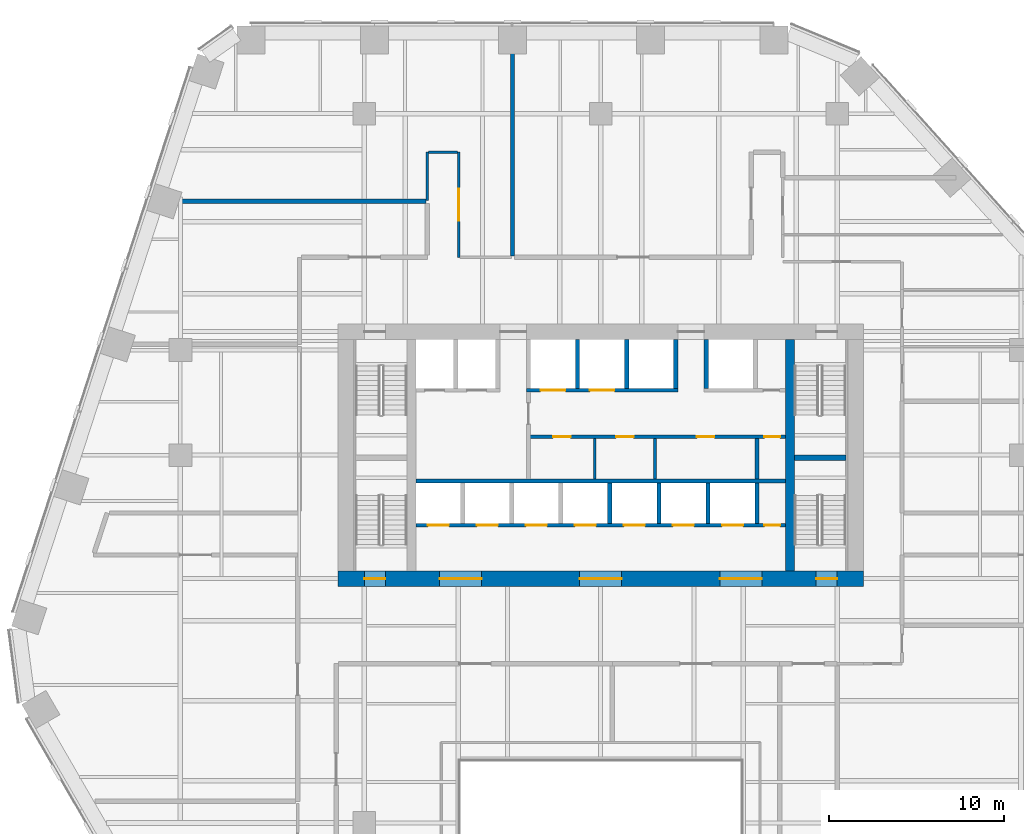
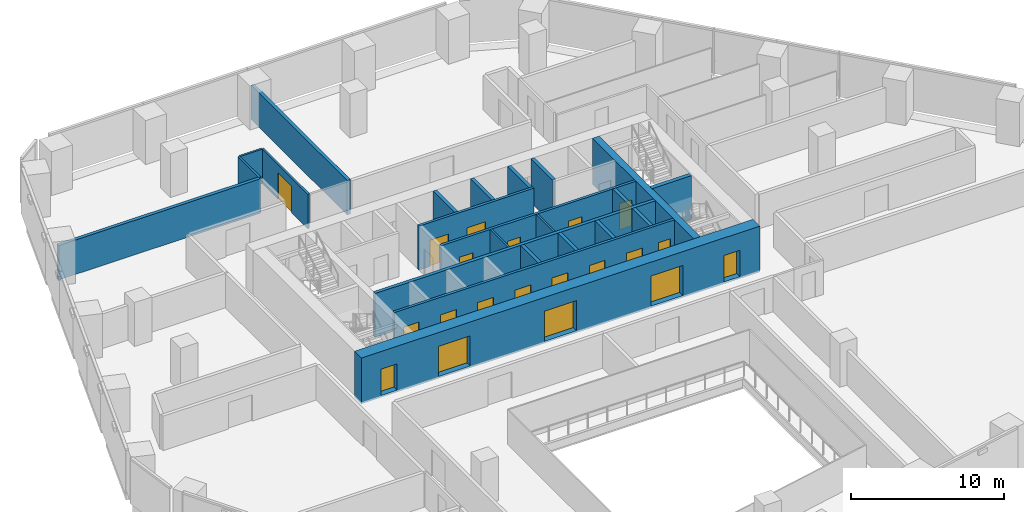
# One storey, part 15 of 21: 23 walls, 20 doors, 20 openings.
"""IFC4 building model written with IfcOpenShell, lengths in metres."""

import ifcopenshell
import ifcopenshell.guid

model = None  # the IFC model being written
_history = None  # IfcOwnerHistory: only IFC2X3 demands one
_inside = {}  # id of a spatial element -> (the spatial element, [elements in it])
_under = {}  # id of a project, library or spatial element -> (it, [spatial elements below it])
_declared = {}  # id of a project -> (the project, [libraries it declares])
_typed = {}  # id of a type object -> (the type object, [elements of that type])
_made_of = {}  # id of a material, layer set ... -> (it, [elements and type objects made of it])


def new_model(schema):
    """Start an empty IFC model of exactly this schema.

    Asked for "IFC4X3", IfcOpenShell would pick the latest addendum, in which some entities
    have other attributes; the version numbers below select the first issue.
    IFC2X3 requires an IfcOwnerHistory on every rooted entity: one is made here for all.
    """
    global model, _history
    if schema == "IFC4X3":
        model = ifcopenshell.file(schema_version=(4, 3, 0, 0))
    else:
        model = ifcopenshell.file(schema=schema)
    _inside.clear()
    _under.clear()
    _declared.clear()
    _typed.clear()
    _made_of.clear()
    _history = None
    if model.schema == "IFC2X3":
        org = make("IfcOrganization", Name="unknown")
        user = make(
            "IfcPersonAndOrganization",
            ThePerson=make("IfcPerson", FamilyName="unknown"),
            TheOrganization=org,
        )
        app = make(
            "IfcApplication",
            ApplicationDeveloper=org,
            Version="unknown",
            ApplicationFullName="unknown",
            ApplicationIdentifier="unknown",
        )
        _history = make(
            "IfcOwnerHistory",
            OwningUser=user,
            OwningApplication=app,
            ChangeAction="ADDED",
            CreationDate=0,
        )
    return model


def make(cls, **values):
    """One entity of the class cls with the attributes given. An attribute that is None is left unset."""
    return model.create_entity(
        cls, **{name: value for name, value in values.items() if value is not None}
    )


def rooted(cls, **values):
    """An entity with a GlobalId (a new one), such as an element, a storey or a relation."""
    return make(cls, GlobalId=ifcopenshell.guid.new(), OwnerHistory=_history, **values)


def si_unit(unit_type, name, prefix=None):
    """IfcSIUnit, for example si_unit("LENGTHUNIT", "METRE", prefix="MILLI")."""
    return make("IfcSIUnit", UnitType=unit_type, Prefix=prefix, Name=name)


def assignment(units):
    """IfcUnitAssignment: the units of a project."""
    return None if units is None else make("IfcUnitAssignment", Units=units)


def point(xyz):
    """IfcCartesianPoint."""
    return None if xyz is None else make("IfcCartesianPoint", Coordinates=xyz)


def direction(xyz):
    """IfcDirection."""
    return None if xyz is None else make("IfcDirection", DirectionRatios=xyz)


def frame(location, z_axis=None, x_axis=None):
    """IfcAxis2Placement3D, a coordinate frame: its origin and axes. An axis left out is left unset."""
    return make(
        "IfcAxis2Placement3D",
        Location=point(location),
        Axis=direction(z_axis),
        RefDirection=direction(x_axis),
    )


def frame_2d(location, x_axis=None):
    """IfcAxis2Placement2D, a coordinate frame in the plane: its origin and x axis."""
    return make(
        "IfcAxis2Placement2D", Location=point(location), RefDirection=direction(x_axis)
    )


def origin():
    """The frame at (0, 0, 0) with its axes left unset."""
    return frame((0.0, 0.0, 0.0))


def place(relative_to, where):
    """IfcLocalPlacement: puts the frame where relative to a parent placement (None: the world)."""
    return make(
        "IfcLocalPlacement", PlacementRelTo=relative_to, RelativePlacement=where
    )


def context(
    kind, dimensions, precision=None, world=None, true_north=None, identifier=None
):
    """IfcGeometricRepresentationContext, for example the 3D "Model" context."""
    return make(
        "IfcGeometricRepresentationContext",
        ContextIdentifier=identifier,
        ContextType=kind,
        CoordinateSpaceDimension=dimensions,
        Precision=precision,
        WorldCoordinateSystem=world,
        TrueNorth=true_north,
    )


def subcontext(parent, identifier, kind, view, scale=None):
    """IfcGeometricRepresentationSubContext, for example "Body" below "Model"."""
    return make(
        "IfcGeometricRepresentationSubContext",
        ContextIdentifier=identifier,
        ContextType=kind,
        ParentContext=parent,
        TargetScale=scale,
        TargetView=view,
    )


def project(units=None, contexts=None):
    """IfcProject with its units and contexts."""
    return rooted(
        "IfcProject",
        Name="project",
        RepresentationContexts=contexts,
        UnitsInContext=assignment(units),
    )


def spatial(cls, under=None, at=None, **own):
    """A site, building, storey or space (cls), placed at a placement, below another one or the project."""
    s = rooted(cls, ObjectPlacement=at, **own)
    if under is not None:
        _under.setdefault(under.id(), (under, []))[1].append(s)
    return s


def profile(cls, at=None, kind="AREA", **sizes):
    """A parametric profile (cls). Its sizes go by their IFC names, for example OverallWidth=200.0."""
    return make(cls, ProfileType=kind, Position=at, **sizes)


def rectangle(**sizes):
    """IfcRectangleProfileDef."""
    return profile("IfcRectangleProfileDef", **sizes)


def extrude(swept, where, along, depth):
    """IfcExtrudedAreaSolid: the profile swept, set in the frame where, extruded along a direction by depth."""
    return make(
        "IfcExtrudedAreaSolid",
        SweptArea=swept,
        Position=where,
        ExtrudedDirection=direction(along),
        Depth=depth,
    )


def shape(context_of_items, identifier, shape_type, items):
    """IfcShapeRepresentation: the items that make up one representation, for example the "Body"."""
    return make(
        "IfcShapeRepresentation",
        ContextOfItems=context_of_items,
        RepresentationIdentifier=identifier,
        RepresentationType=shape_type,
        Items=items,
    )


def material(Name=None, Category=None):
    """IfcMaterial."""
    return make("IfcMaterial", Name=Name, Category=Category)


def layer(
    of_material, thickness, ventilated=None, Name=None, Category=None, Priority=None
):
    """IfcMaterialLayer: one layer of a wall or slab, of a material (None: an air gap)."""
    return make(
        "IfcMaterialLayer",
        Material=of_material,
        LayerThickness=thickness,
        IsVentilated=ventilated,
        Name=Name,
        Category=Category,
        Priority=Priority,
    )


def layer_set(layers, Name=None):
    """IfcMaterialLayerSet."""
    return make("IfcMaterialLayerSet", MaterialLayers=layers, LayerSetName=Name)


def made_of(thing, what):
    """Note that an element or type object is made of a material, layer set ...; save() writes the relation."""
    if what is not None:
        _made_of.setdefault(what.id(), (what, []))[1].append(thing)
    return thing


def type_object(cls, material=None, **own):
    """A type object (cls), such as IfcWallType, which elements share."""
    return made_of(rooted(cls, **own), material)


def element(
    cls,
    number,
    at=None,
    inside=None,
    cuts=None,
    type_object=None,
    material=None,
    context=None,
    identifier="Body",
    shape_type=None,
    held_by="IfcProductDefinitionShape",
    body=None,
    shapes=None,
    **own,
):
    """One element of the class cls, such as IfcWall. Its Tag is "e" and its number.

    at: its placement. inside: the storey or other place that contains it. cuts: it is an
    opening in that element (IfcRelVoidsElement). A single representation is given by context,
    identifier, shape_type and body (its items); several are given by shapes. held_by: the class
    of the entity that holds the representations. save() writes the other relations.
    """
    e = rooted(cls, Tag="e%d" % number, ObjectPlacement=at, **own)
    if body is not None:
        shapes = [shape(context, identifier, shape_type, body)]
    if shapes is not None:
        e.Representation = make(held_by, Representations=shapes)
    if inside is not None:
        _inside.setdefault(inside.id(), (inside, []))[1].append(e)
    if cuts is not None:
        rooted(
            "IfcRelVoidsElement", RelatingBuildingElement=cuts, RelatedOpeningElement=e
        )
    if type_object is not None:
        _typed.setdefault(type_object.id(), (type_object, []))[1].append(e)
    return made_of(e, material)


def fill(opening, filler):
    """IfcRelFillsElement: the door or window that sits in an opening."""
    return rooted(
        "IfcRelFillsElement",
        RelatingOpeningElement=opening,
        RelatedBuildingElement=filler,
    )


def aggregate(whole, parts):
    """IfcRelAggregates: a whole, such as a stair, and the parts it consists of."""
    return rooted("IfcRelAggregates", RelatingObject=whole, RelatedObjects=parts)


def save(model, path):
    """Write the relations noted so far, then the file.

    IfcRelAggregates (storeys below a building ...), IfcRelContainedInSpatialStructure (elements
    in a storey), IfcRelDefinesByType, IfcRelAssociatesMaterial and IfcRelDeclares: one each for
    every whole, place, type object, material and project.
    """
    for whole, parts in _under.values():
        aggregate(whole, parts)
    for where, things in _inside.values():
        rooted(
            "IfcRelContainedInSpatialStructure",
            RelatedElements=things,
            RelatingStructure=where,
        )
    for kind, things in _typed.values():
        rooted("IfcRelDefinesByType", RelatedObjects=things, RelatingType=kind)
    for what, things in _made_of.values():
        rooted("IfcRelAssociatesMaterial", RelatedObjects=things, RelatingMaterial=what)
    for by, libraries in _declared.values():
        rooted("IfcRelDeclares", RelatingContext=by, RelatedDefinitions=libraries)
    model.write(path)


model = new_model("IFC4")

# Units and contexts
model_context = context("Model", 3, precision=1e-05, world=origin(), true_north=direction((0.0, 1.0)))
body_context = subcontext(model_context, "Body", "Model", "MODEL_VIEW")
ifc_project = project(units=[si_unit("LENGTHUNIT", "METRE"), si_unit("AREAUNIT", "SQUARE_METRE"), si_unit("VOLUMEUNIT", "CUBIC_METRE"), si_unit("PLANEANGLEUNIT", "RADIAN"), si_unit("MASSUNIT", "GRAM", prefix="KILO")], contexts=[model_context])

# Site, building, storey
site_placement = place(None, origin())
site = spatial("IfcSite", under=ifc_project, at=site_placement, CompositionType="ELEMENT")
building_placement = place(site_placement, origin())
building = spatial("IfcBuilding", under=site, at=building_placement, Name="Isthmus Gate Tower", CompositionType="ELEMENT")
storey_placement = place(building_placement, frame((0.0, 0.0, 109.85009765625)))
storey = spatial("IfcBuildingStorey", under=building, at=storey_placement, Name="L26", CompositionType="ELEMENT", Elevation=109.85009765625)

# Walls
ifc_material_1 = material(Name="Double-leaf acoustic stud wall, fire-rated", Category="gypsum")
ifc_layer_1 = layer(ifc_material_1, 0.25)
ifc_layer_set_1 = layer_set([ifc_layer_1], Name="ACOUSTIC WALL 250 60 MIN")
wall_type_1 = type_object("IfcWallType", Name="ACOUSTIC WALL 250 60 MIN", PredefinedType="PARTITIONING", material=ifc_layer_set_1)
wall_1_placement = place(storey_placement, frame((-5.037109375, 18.875, 0.0), z_axis=(0.0, 0.0, 1.0), x_axis=(0.0, 1.0, 0.0)))
element("IfcWall", 1, at=wall_1_placement, inside=storey, type_object=wall_type_1, Name="L26 Acoustic Wall 250 60 Min", PredefinedType="PARTITIONING", context=body_context, shape_type="SweptSolid", body=[
    extrude(rectangle(XDim=12.52490234375, YDim=0.25, at=frame_2d((6.262451171875, 0.0))), origin(), (0.0, 0.0, 1.0), 2.7412109375),
])
wall_2_placement = place(storey_placement, frame((-25.133056640625, 21.9990234375, 0.0), z_axis=(0.0, 0.0, 1.0), x_axis=(1.0, 0.0, 0.0)))
element("IfcWall", 2, at=wall_2_placement, inside=storey, type_object=wall_type_1, Name="L26 Acoustic Wall 250 60 Min", PredefinedType="PARTITIONING", context=body_context, shape_type="SweptSolid", body=[
    extrude(rectangle(XDim=15.157958984375, YDim=0.25, at=frame_2d((7.5791015625, 0.0))), origin(), (0.0, 0.0, 1.0), 2.7412109375),
])

# Wall, opening, door
ifc_material_2 = material(Name="Gypsum board on steel studs, fire-rated", Category="steel")
ifc_layer_2 = layer(ifc_material_2, 0.14990234375)
ifc_layer_set_2 = layer_set([ifc_layer_2], Name="CORRIDOR WALL 150 60 MIN")
wall_type_2 = type_object("IfcWallType", Name="CORRIDOR WALL 150 60 MIN", PredefinedType="PARTITIONING", material=ifc_layer_set_2)
wall_3_placement = place(storey_placement, frame((-8.10009765625, 24.800048828125, 0.0), z_axis=(0.0, 0.0, 1.0), x_axis=(0.0, -1.0, 0.0)))
wall_3 = element("IfcWall", 3, at=wall_3_placement, inside=storey, type_object=wall_type_2, Name="L26 Corridor Wall 150 60 Min", PredefinedType="PARTITIONING", context=body_context, shape_type="SweptSolid", body=[
    extrude(rectangle(XDim=6.0, YDim=0.14990234375, at=frame_2d((3.0, 0.0))), origin(), (0.0, 0.0, 1.0), 2.7412109375),
])
opening_1_placement = place(wall_3_placement, frame((2.10009765625, 0.0, 0.0)))
opening_1 = element("IfcOpeningElement", 4, at=opening_1_placement, cuts=wall_3, Name="Opening DT-T2D-01", PredefinedType="OPENING", context=body_context, shape_type="SweptSolid", body=[
    extrude(rectangle(XDim=1.800048828125, YDim=2.10009765625, at=frame_2d((0.89990234375, 1.050048828125))), frame((0.0, 0.0849609375, 0.0), z_axis=(0.0, -1.0, 0.0), x_axis=(1.0, 0.0, 0.0)), (0.0, 0.0, 1.0), 0.169921875),
])
ifc_material_3 = material(Name="Solid core timber door leaf, fire-rated", Category="wood")
door_type_1 = type_object("IfcDoorType", Name="FIRE DOOR ROOM 1800 X 2100 60 MIN", OperationType="DOUBLE_DOOR_DOUBLE_SWING", PredefinedType="DOOR", material=ifc_material_3)
door_1_placement = place(opening_1_placement, origin())
door_1 = element("IfcDoor", 5, at=door_1_placement, inside=storey, type_object=door_type_1, Name="L26 room door", OperationType="DOUBLE_DOOR_DOUBLE_SWING", OverallHeight=2.10009765625, OverallWidth=1.800048828125, PredefinedType="DOOR", context=body_context, shape_type="SweptSolid", body=[
    extrude(rectangle(XDim=1.800048828125, YDim=2.10009765625, at=frame_2d((0.89990234375, 1.050048828125))), frame((0.0, 0.02490234375, 0.0), z_axis=(0.0, -1.0, 0.0), x_axis=(1.0, 0.0, 0.0)), (0.0, 0.0, 1.0), 0.050048828125),
])
fill(opening_1, door_1)

# Walls
wall_4_placement = place(storey_placement, frame((-9.89990234375, 22.049072265625, 0.0), z_axis=(0.0, 0.0, 1.0), x_axis=(0.0, 1.0, 0.0)))
element("IfcWall", 6, at=wall_4_placement, inside=storey, type_object=wall_type_2, Name="L26 Corridor Wall 150 60 Min", PredefinedType="PARTITIONING", context=body_context, shape_type="SweptSolid", body=[
    extrude(rectangle(XDim=2.7509765625, YDim=0.14990234375, at=frame_2d((1.37548828125, 0.0))), origin(), (0.0, 0.0, 1.0), 2.7412109375),
])
wall_5_placement = place(storey_placement, frame((-9.824951171875, 24.800048828125, 0.0), z_axis=(0.0, 0.0, 1.0), x_axis=(1.0, 0.0, 0.0)))
element("IfcWall", 7, at=wall_5_placement, inside=storey, type_object=wall_type_2, Name="L26 Corridor Wall 150 60 Min", PredefinedType="PARTITIONING", context=body_context, shape_type="SweptSolid", body=[
    extrude(rectangle(XDim=1.64990234375, YDim=0.14990234375, at=frame_2d((0.824951171875, 0.0))), origin(), (0.0, 0.0, 1.0), 2.7412109375),
])
ifc_material_4 = material(Name="Concrete f'c 70 MPa", Category="concrete")
ifc_layer_3 = layer(ifc_material_4, 0.5)
ifc_layer_set_3 = layer_set([ifc_layer_3], Name="RC CORE SPINE WALL 500 F'C 70")
wall_type_3 = type_object("IfcWallType", Name="RC CORE SPINE WALL 500 F'C 70", PredefinedType="SOLIDWALL", material=ifc_layer_set_3)
wall_6_placement = place(storey_placement, frame((10.800048828125, 0.89990234375, -0.150146484375), z_axis=(0.0, 0.0, 1.0), x_axis=(0.0, 1.0, 0.0)))
element("IfcWall", 8, at=wall_6_placement, inside=storey, type_object=wall_type_3, Name="str-corewall-L26-SPE", PredefinedType="SOLIDWALL", context=body_context, shape_type="SweptSolid", body=[
    extrude(rectangle(XDim=13.2001953125, YDim=0.5, at=frame_2d((6.60009765625, 0.0))), origin(), (0.0, 0.0, 1.0), 3.650146484375),
])

# Wall, openings, doors
ifc_material_5 = material(Name="Concrete f'c 70 MPa", Category="concrete")
ifc_layer_4 = layer(ifc_material_5, 0.89990234375)
ifc_layer_set_4 = layer_set([ifc_layer_4], Name="RC CORE WALL 900 F'C 70")
wall_type_4 = type_object("IfcWallType", Name="RC CORE WALL 900 F'C 70", PredefinedType="SOLIDWALL", material=ifc_layer_set_4)
wall_7_placement = place(storey_placement, frame((-15.0, 0.449951171875, -0.150146484375), z_axis=(0.0, 0.0, 1.0), x_axis=(1.0, 0.0, 0.0)))
wall_7 = element("IfcWall", 9, at=wall_7_placement, inside=storey, type_object=wall_type_4, Name="str-corewall-L26-S", PredefinedType="SOLIDWALL", context=body_context, shape_type="SweptSolid", body=[
    extrude(rectangle(XDim=30.0, YDim=0.89990234375, at=frame_2d((15.0, 0.0))), origin(), (0.0, 0.0, 1.0), 3.650146484375),
])
opening_2_placement = place(wall_7_placement, frame((5.800048828125, 0.0, 0.14990234375)))
opening_2 = element("IfcOpeningElement", 10, at=opening_2_placement, cuts=wall_7, Name="Opening DC-A03-08", PredefinedType="OPENING", context=body_context, shape_type="SweptSolid", body=[
    extrude(rectangle(XDim=2.39990234375, YDim=2.39990234375, at=frame_2d((1.199951171875, 1.199951171875))), frame((0.0, 0.4599609375, 0.0), z_axis=(0.0, -1.0, 0.0), x_axis=(1.0, 0.0, 0.0)), (0.0, 0.0, 1.0), 0.919921875),
])
opening_3_placement = place(wall_7_placement, frame((13.800048828125, 0.0, 0.14990234375)))
opening_3 = element("IfcOpeningElement", 11, at=opening_3_placement, cuts=wall_7, Name="Opening DC-A03-09", PredefinedType="OPENING", context=body_context, shape_type="SweptSolid", body=[
    extrude(rectangle(XDim=2.39990234375, YDim=2.39990234375, at=frame_2d((1.199951171875, 1.199951171875))), frame((0.0, 0.4599609375, 0.0), z_axis=(0.0, -1.0, 0.0), x_axis=(1.0, 0.0, 0.0)), (0.0, 0.0, 1.0), 0.919921875),
])
opening_4_placement = place(wall_7_placement, frame((21.800048828125, 0.0, 0.14990234375)))
opening_4 = element("IfcOpeningElement", 12, at=opening_4_placement, cuts=wall_7, Name="Opening DC-A03-10", PredefinedType="OPENING", context=body_context, shape_type="SweptSolid", body=[
    extrude(rectangle(XDim=2.39990234375, YDim=2.39990234375, at=frame_2d((1.199951171875, 1.199951171875))), frame((0.0, 0.4599609375, 0.0), z_axis=(0.0, -1.0, 0.0), x_axis=(1.0, 0.0, 0.0)), (0.0, 0.0, 1.0), 0.919921875),
])
opening_5_placement = place(wall_7_placement, frame((1.5, 0.0, 0.14990234375)))
opening_5 = element("IfcOpeningElement", 13, at=opening_5_placement, cuts=wall_7, Name="Opening DC-A03-15", PredefinedType="OPENING", context=body_context, shape_type="SweptSolid", body=[
    extrude(rectangle(XDim=1.199951171875, YDim=2.10009765625, at=frame_2d((0.60009765625, 1.050048828125))), frame((0.0, 0.4599609375, 0.0), z_axis=(0.0, -1.0, 0.0), x_axis=(1.0, 0.0, 0.0)), (0.0, 0.0, 1.0), 0.919921875),
])
opening_6_placement = place(wall_7_placement, frame((27.300048828125, 0.0, 0.14990234375)))
opening_6 = element("IfcOpeningElement", 14, at=opening_6_placement, cuts=wall_7, Name="Opening DC-A03-16", PredefinedType="OPENING", context=body_context, shape_type="SweptSolid", body=[
    extrude(rectangle(XDim=1.199951171875, YDim=2.10009765625, at=frame_2d((0.60009765625, 1.050048828125))), frame((0.0, 0.4599609375, 0.0), z_axis=(0.0, -1.0, 0.0), x_axis=(1.0, 0.0, 0.0)), (0.0, 0.0, 1.0), 0.919921875),
])
ifc_material_6 = material(Name="Laminated safety glass in steel frame, fire-rated", Category="steel")
door_type_2 = type_object("IfcDoorType", Name="LOBBY ENTRANCE FIRE DOOR 2400 X 2400 60 MIN", OperationType="DOUBLE_DOOR_DOUBLE_SWING", PredefinedType="DOOR", material=ifc_material_6)
door_2_placement = place(opening_2_placement, origin())
door_2 = element("IfcDoor", 15, at=door_2_placement, inside=storey, type_object=door_type_2, Name="Lobby Entrance PS-W", OperationType="DOUBLE_DOOR_DOUBLE_SWING", OverallHeight=2.39990234375, OverallWidth=2.39990234375, PredefinedType="DOOR", context=body_context, shape_type="SweptSolid", body=[
    extrude(rectangle(XDim=2.39990234375, YDim=2.39990234375, at=frame_2d((1.199951171875, 1.199951171875))), frame((0.0, 0.02490234375, 0.0), z_axis=(0.0, -1.0, 0.0), x_axis=(1.0, 0.0, 0.0)), (0.0, 0.0, 1.0), 0.050048828125),
])
fill(opening_2, door_2)
door_3_placement = place(opening_3_placement, origin())
door_3 = element("IfcDoor", 16, at=door_3_placement, inside=storey, type_object=door_type_2, Name="Lobby Entrance PS-C", OperationType="DOUBLE_DOOR_DOUBLE_SWING", OverallHeight=2.39990234375, OverallWidth=2.39990234375, PredefinedType="DOOR", context=body_context, shape_type="SweptSolid", body=[
    extrude(rectangle(XDim=2.39990234375, YDim=2.39990234375, at=frame_2d((1.199951171875, 1.199951171875))), frame((0.0, 0.02490234375, 0.0), z_axis=(0.0, -1.0, 0.0), x_axis=(1.0, 0.0, 0.0)), (0.0, 0.0, 1.0), 0.050048828125),
])
fill(opening_3, door_3)
door_4_placement = place(opening_4_placement, origin())
door_4 = element("IfcDoor", 17, at=door_4_placement, inside=storey, type_object=door_type_2, Name="Lobby Entrance PS-E", OperationType="DOUBLE_DOOR_DOUBLE_SWING", OverallHeight=2.39990234375, OverallWidth=2.39990234375, PredefinedType="DOOR", context=body_context, shape_type="SweptSolid", body=[
    extrude(rectangle(XDim=2.39990234375, YDim=2.39990234375, at=frame_2d((1.199951171875, 1.199951171875))), frame((0.0, 0.02490234375, 0.0), z_axis=(0.0, -1.0, 0.0), x_axis=(1.0, 0.0, 0.0)), (0.0, 0.0, 1.0), 0.050048828125),
])
fill(opening_4, door_4)
ifc_material_7 = material(Name="Steel door leaf, fire-rated", Category="steel")
door_type_3 = type_object("IfcDoorType", Name="STAIR FIRE DOOR 1200 X 2100 90 MIN", OperationType="SINGLE_SWING_LEFT", PredefinedType="DOOR", material=ifc_material_7)
door_5_placement = place(opening_5_placement, origin())
door_5 = element("IfcDoor", 18, at=door_5_placement, inside=storey, type_object=door_type_3, Name="Exit Stair 7 Door", OperationType="SINGLE_SWING_LEFT", OverallHeight=2.10009765625, OverallWidth=1.199951171875, PredefinedType="DOOR", context=body_context, shape_type="SweptSolid", body=[
    extrude(rectangle(XDim=1.199951171875, YDim=2.10009765625, at=frame_2d((0.60009765625, 1.050048828125))), frame((0.0, 0.02490234375, 0.0), z_axis=(0.0, -1.0, 0.0), x_axis=(1.0, 0.0, 0.0)), (0.0, 0.0, 1.0), 0.050048828125),
])
fill(opening_5, door_5)
door_6_placement = place(opening_6_placement, origin())
door_6 = element("IfcDoor", 19, at=door_6_placement, inside=storey, type_object=door_type_3, Name="Exit Stair 8 Door", OperationType="SINGLE_SWING_RIGHT", OverallHeight=2.10009765625, OverallWidth=1.199951171875, PredefinedType="DOOR", context=body_context, shape_type="SweptSolid", body=[
    extrude(rectangle(XDim=1.199951171875, YDim=2.10009765625, at=frame_2d((0.60009765625, 1.050048828125))), frame((0.0, 0.02490234375, 0.0), z_axis=(0.0, -1.0, 0.0), x_axis=(1.0, 0.0, 0.0)), (0.0, 0.0, 1.0), 0.050048828125),
])
fill(opening_6, door_6)

# Walls
ifc_material_8 = material(Name="Gypsum board on steel studs, fire-rated", Category="steel")
ifc_layer_5 = layer(ifc_material_8, 0.14990234375)
ifc_layer_set_5 = layer_set([ifc_layer_5], Name="ROOM PARTITION 150 60 MIN")
wall_type_5 = type_object("IfcWallType", Name="ROOM PARTITION 150 60 MIN", PredefinedType="PARTITIONING", material=ifc_layer_set_5)
for number, where, z_axis, x_axis, name in (
    (20, (-0.35009765625, 6.14990234375, 0.0), (0.0, 0.0, 1.0), (0.0, 1.0, 0.0), "L26 ROOM PARTITION 150 60 MIN"),
    (21, (3.10009765625, 6.14990234375, 0.0), (0.0, 0.0, 1.0), (0.0, 1.0, 0.0), "L26 ROOM PARTITION 150 60 MIN"),
):
    element("IfcWall", number, at=place(storey_placement, frame(where, z_axis=z_axis, x_axis=x_axis)), inside=storey, type_object=wall_type_5, Name=name, PredefinedType="PARTITIONING", context=body_context, shape_type="SweptSolid", body=[
        extrude(rectangle(XDim=2.300048828125, YDim=0.14990234375, at=frame_2d((1.14990234375, 0.0))), origin(), (0.0, 0.0, 1.0), 3.5),
    ])

# Wall, openings, doors
ifc_material_9 = material(Name="Fire-rated blockwork masonry, 15 MPa", Category="masonry")
ifc_layer_6 = layer(ifc_material_9, 0.199951171875)
ifc_layer_set_6 = layer_set([ifc_layer_6], Name="SHAFT FRONT WALL 200 120 MIN")
wall_type_6 = type_object("IfcWallType", Name="SHAFT FRONT WALL 200 120 MIN", PredefinedType="PARTITIONING", material=ifc_layer_set_6)
wall_8_placement = place(storey_placement, frame((-10.550048828125, 3.5, 0.0), z_axis=(0.0, 0.0, 1.0), x_axis=(1.0, 0.0, 0.0)))
wall_8 = element("IfcWall", 22, at=wall_8_placement, inside=storey, type_object=wall_type_6, Name="L26 SHAFT FRONT WALL 200 120 MIN", PredefinedType="PARTITIONING", context=body_context, shape_type="SweptSolid", body=[
    extrude(rectangle(XDim=21.10009765625, YDim=0.199951171875, at=frame_2d((10.550048828125, 0.0))), origin(), (0.0, 0.0, 1.0), 3.5),
])
opening_7_placement = place(wall_8_placement, frame((0.675048828125, 0.0, 0.0)))
opening_7 = element("IfcOpeningElement", 23, at=opening_7_placement, cuts=wall_8, Name="Opening LD-LA1", PredefinedType="OPENING", context=body_context, shape_type="SweptSolid", body=[
    extrude(rectangle(XDim=1.199951171875, YDim=2.10009765625, at=frame_2d((0.60009765625, 1.050048828125))), frame((0.0, 0.10986328125, 0.0), z_axis=(0.0, -1.0, 0.0), x_axis=(1.0, 0.0, 0.0)), (0.0, 0.0, 1.0), 0.219970703125),
])
opening_8_placement = place(wall_8_placement, frame((3.47509765625, 0.0, 0.0)))
opening_8 = element("IfcOpeningElement", 24, at=opening_8_placement, cuts=wall_8, Name="Opening LD-LA2", PredefinedType="OPENING", context=body_context, shape_type="SweptSolid", body=[
    extrude(rectangle(XDim=1.199951171875, YDim=2.10009765625, at=frame_2d((0.60009765625, 1.050048828125))), frame((0.0, 0.10986328125, 0.0), z_axis=(0.0, -1.0, 0.0), x_axis=(1.0, 0.0, 0.0)), (0.0, 0.0, 1.0), 0.219970703125),
])
opening_9_placement = place(wall_8_placement, frame((6.27490234375, 0.0, 0.0)))
opening_9 = element("IfcOpeningElement", 25, at=opening_9_placement, cuts=wall_8, Name="Opening LD-LA3", PredefinedType="OPENING", context=body_context, shape_type="SweptSolid", body=[
    extrude(rectangle(XDim=1.199951171875, YDim=2.10009765625, at=frame_2d((0.60009765625, 1.050048828125))), frame((0.0, 0.10986328125, 0.0), z_axis=(0.0, -1.0, 0.0), x_axis=(1.0, 0.0, 0.0)), (0.0, 0.0, 1.0), 0.219970703125),
])
opening_10_placement = place(wall_8_placement, frame((9.074951171875, 0.0, 0.0)))
opening_10 = element("IfcOpeningElement", 26, at=opening_10_placement, cuts=wall_8, Name="Opening LD-LA4", PredefinedType="OPENING", context=body_context, shape_type="SweptSolid", body=[
    extrude(rectangle(XDim=1.199951171875, YDim=2.10009765625, at=frame_2d((0.60009765625, 1.050048828125))), frame((0.0, 0.10986328125, 0.0), z_axis=(0.0, -1.0, 0.0), x_axis=(1.0, 0.0, 0.0)), (0.0, 0.0, 1.0), 0.219970703125),
])
opening_11_placement = place(wall_8_placement, frame((11.875, 0.0, 0.0)))
opening_11 = element("IfcOpeningElement", 27, at=opening_11_placement, cuts=wall_8, Name="Opening LD-LA5", PredefinedType="OPENING", context=body_context, shape_type="SweptSolid", body=[
    extrude(rectangle(XDim=1.199951171875, YDim=2.10009765625, at=frame_2d((0.60009765625, 1.050048828125))), frame((0.0, 0.10986328125, 0.0), z_axis=(0.0, -1.0, 0.0), x_axis=(1.0, 0.0, 0.0)), (0.0, 0.0, 1.0), 0.219970703125),
])
opening_12_placement = place(wall_8_placement, frame((14.675048828125, 0.0, 0.0)))
opening_12 = element("IfcOpeningElement", 28, at=opening_12_placement, cuts=wall_8, Name="Opening LD-LA6", PredefinedType="OPENING", context=body_context, shape_type="SweptSolid", body=[
    extrude(rectangle(XDim=1.199951171875, YDim=2.10009765625, at=frame_2d((0.60009765625, 1.050048828125))), frame((0.0, 0.10986328125, 0.0), z_axis=(0.0, -1.0, 0.0), x_axis=(1.0, 0.0, 0.0)), (0.0, 0.0, 1.0), 0.219970703125),
])
opening_13_placement = place(wall_8_placement, frame((17.47509765625, 0.0, 0.0)))
opening_13 = element("IfcOpeningElement", 29, at=opening_13_placement, cuts=wall_8, Name="Opening LD-LA7", PredefinedType="OPENING", context=body_context, shape_type="SweptSolid", body=[
    extrude(rectangle(XDim=1.199951171875, YDim=2.10009765625, at=frame_2d((0.60009765625, 1.050048828125))), frame((0.0, 0.10986328125, 0.0), z_axis=(0.0, -1.0, 0.0), x_axis=(1.0, 0.0, 0.0)), (0.0, 0.0, 1.0), 0.219970703125),
])
opening_14_placement = place(wall_8_placement, frame((19.89990234375, 0.0, 0.0)))
opening_14 = element("IfcOpeningElement", 30, at=opening_14_placement, cuts=wall_8, Name="Opening DC-A03-02", PredefinedType="OPENING", context=body_context, shape_type="SweptSolid", body=[
    extrude(rectangle(XDim=0.89990234375, YDim=2.10009765625, at=frame_2d((0.449951171875, 1.050048828125))), frame((0.0, 0.10986328125, 0.0), z_axis=(0.0, -1.0, 0.0), x_axis=(1.0, 0.0, 0.0)), (0.0, 0.0, 1.0), 0.219970703125),
])
ifc_material_10 = material(Name="Stainless steel sliding leaf", Category="steel")
door_type_4 = type_object("IfcDoorType", Name="LIFT LANDING FIRE DOOR 1200 X 2100 90 MIN", OperationType="DOUBLE_DOOR_SLIDING", PredefinedType="DOOR", material=ifc_material_10)
door_7_placement = place(opening_7_placement, origin())
door_7 = element("IfcDoor", 31, at=door_7_placement, inside=storey, type_object=door_type_4, Name="Lift Landing Door LA1", OperationType="DOUBLE_DOOR_SLIDING", OverallHeight=2.10009765625, OverallWidth=1.199951171875, PredefinedType="DOOR", context=body_context, shape_type="SweptSolid", body=[
    extrude(rectangle(XDim=1.199951171875, YDim=2.10009765625, at=frame_2d((0.60009765625, 1.050048828125))), frame((0.0, 0.02490234375, 0.0), z_axis=(0.0, -1.0, 0.0), x_axis=(1.0, 0.0, 0.0)), (0.0, 0.0, 1.0), 0.050048828125),
])
fill(opening_7, door_7)
door_8_placement = place(opening_8_placement, origin())
door_8 = element("IfcDoor", 32, at=door_8_placement, inside=storey, type_object=door_type_4, Name="Lift Landing Door LA2", OperationType="DOUBLE_DOOR_SLIDING", OverallHeight=2.10009765625, OverallWidth=1.199951171875, PredefinedType="DOOR", context=body_context, shape_type="SweptSolid", body=[
    extrude(rectangle(XDim=1.199951171875, YDim=2.10009765625, at=frame_2d((0.60009765625, 1.050048828125))), frame((0.0, 0.02490234375, 0.0), z_axis=(0.0, -1.0, 0.0), x_axis=(1.0, 0.0, 0.0)), (0.0, 0.0, 1.0), 0.050048828125),
])
fill(opening_8, door_8)
door_9_placement = place(opening_9_placement, origin())
door_9 = element("IfcDoor", 33, at=door_9_placement, inside=storey, type_object=door_type_4, Name="Lift Landing Door LA3", OperationType="DOUBLE_DOOR_SLIDING", OverallHeight=2.10009765625, OverallWidth=1.199951171875, PredefinedType="DOOR", context=body_context, shape_type="SweptSolid", body=[
    extrude(rectangle(XDim=1.199951171875, YDim=2.10009765625, at=frame_2d((0.60009765625, 1.050048828125))), frame((0.0, 0.02490234375, 0.0), z_axis=(0.0, -1.0, 0.0), x_axis=(1.0, 0.0, 0.0)), (0.0, 0.0, 1.0), 0.050048828125),
])
fill(opening_9, door_9)
door_10_placement = place(opening_10_placement, origin())
door_10 = element("IfcDoor", 34, at=door_10_placement, inside=storey, type_object=door_type_4, Name="Lift Landing Door LA4", OperationType="DOUBLE_DOOR_SLIDING", OverallHeight=2.10009765625, OverallWidth=1.199951171875, PredefinedType="DOOR", context=body_context, shape_type="SweptSolid", body=[
    extrude(rectangle(XDim=1.199951171875, YDim=2.10009765625, at=frame_2d((0.60009765625, 1.050048828125))), frame((0.0, 0.02490234375, 0.0), z_axis=(0.0, -1.0, 0.0), x_axis=(1.0, 0.0, 0.0)), (0.0, 0.0, 1.0), 0.050048828125),
])
fill(opening_10, door_10)
door_11_placement = place(opening_11_placement, origin())
door_11 = element("IfcDoor", 35, at=door_11_placement, inside=storey, type_object=door_type_4, Name="Lift Landing Door LA5", OperationType="DOUBLE_DOOR_SLIDING", OverallHeight=2.10009765625, OverallWidth=1.199951171875, PredefinedType="DOOR", context=body_context, shape_type="SweptSolid", body=[
    extrude(rectangle(XDim=1.199951171875, YDim=2.10009765625, at=frame_2d((0.60009765625, 1.050048828125))), frame((0.0, 0.02490234375, 0.0), z_axis=(0.0, -1.0, 0.0), x_axis=(1.0, 0.0, 0.0)), (0.0, 0.0, 1.0), 0.050048828125),
])
fill(opening_11, door_11)
door_12_placement = place(opening_12_placement, origin())
door_12 = element("IfcDoor", 36, at=door_12_placement, inside=storey, type_object=door_type_4, Name="Lift Landing Door LA6", OperationType="DOUBLE_DOOR_SLIDING", OverallHeight=2.10009765625, OverallWidth=1.199951171875, PredefinedType="DOOR", context=body_context, shape_type="SweptSolid", body=[
    extrude(rectangle(XDim=1.199951171875, YDim=2.10009765625, at=frame_2d((0.60009765625, 1.050048828125))), frame((0.0, 0.02490234375, 0.0), z_axis=(0.0, -1.0, 0.0), x_axis=(1.0, 0.0, 0.0)), (0.0, 0.0, 1.0), 0.050048828125),
])
fill(opening_12, door_12)
door_13_placement = place(opening_13_placement, origin())
door_13 = element("IfcDoor", 37, at=door_13_placement, inside=storey, type_object=door_type_4, Name="Lift Landing Door LA7", OperationType="DOUBLE_DOOR_SLIDING", OverallHeight=2.10009765625, OverallWidth=1.199951171875, PredefinedType="DOOR", context=body_context, shape_type="SweptSolid", body=[
    extrude(rectangle(XDim=1.199951171875, YDim=2.10009765625, at=frame_2d((0.60009765625, 1.050048828125))), frame((0.0, 0.02490234375, 0.0), z_axis=(0.0, -1.0, 0.0), x_axis=(1.0, 0.0, 0.0)), (0.0, 0.0, 1.0), 0.050048828125),
])
fill(opening_13, door_13)
ifc_material_11 = material(Name="Steel door leaf, fire-rated", Category="steel")
door_type_5 = type_object("IfcDoorType", Name="RISER FIRE DOOR 900 X 2100 90 MIN", OperationType="SINGLE_SWING_LEFT", PredefinedType="DOOR", material=ifc_material_11)
door_14_placement = place(opening_14_placement, origin())
door_14 = element("IfcDoor", 38, at=door_14_placement, inside=storey, type_object=door_type_5, Name="Riser Door", OperationType="SINGLE_SWING_RIGHT", OverallHeight=2.10009765625, OverallWidth=0.89990234375, PredefinedType="DOOR", context=body_context, shape_type="SweptSolid", body=[
    extrude(rectangle(XDim=0.89990234375, YDim=2.10009765625, at=frame_2d((0.449951171875, 1.050048828125))), frame((0.0, 0.02490234375, 0.0), z_axis=(0.0, -1.0, 0.0), x_axis=(1.0, 0.0, 0.0)), (0.0, 0.0, 1.0), 0.050048828125),
])
fill(opening_14, door_14)

wall_9_placement = place(storey_placement, frame((-4.125, 8.550048828125, 0.0), z_axis=(0.0, 0.0, 1.0), x_axis=(1.0, 0.0, 0.0)))
wall_9 = element("IfcWall", 39, at=wall_9_placement, inside=storey, type_object=wall_type_6, Name="L26 SHAFT FRONT WALL 200 120 MIN", PredefinedType="PARTITIONING", context=body_context, shape_type="SweptSolid", body=[
    extrude(rectangle(XDim=14.675048828125, YDim=0.199951171875, at=frame_2d((7.33740234375, 0.0))), origin(), (0.0, 0.0, 1.0), 3.5),
])
opening_15_placement = place(wall_9_placement, frame((1.41259765625, 0.0, 0.0)))
opening_15 = element("IfcOpeningElement", 40, at=opening_15_placement, cuts=wall_9, Name="Opening DC-A03-03", PredefinedType="OPENING", context=body_context, shape_type="SweptSolid", body=[
    extrude(rectangle(XDim=1.0, YDim=2.10009765625, at=frame_2d((0.5, 1.050048828125))), frame((0.0, 0.10986328125, 0.0), z_axis=(0.0, -1.0, 0.0), x_axis=(1.0, 0.0, 0.0)), (0.0, 0.0, 1.0), 0.219970703125),
])
opening_16_placement = place(wall_9_placement, frame((5.0, 0.0, 0.0)))
opening_16 = element("IfcOpeningElement", 41, at=opening_16_placement, cuts=wall_9, Name="Opening DC-A03-04", PredefinedType="OPENING", context=body_context, shape_type="SweptSolid", body=[
    extrude(rectangle(XDim=1.0, YDim=2.10009765625, at=frame_2d((0.5, 1.050048828125))), frame((0.0, 0.10986328125, 0.0), z_axis=(0.0, -1.0, 0.0), x_axis=(1.0, 0.0, 0.0)), (0.0, 0.0, 1.0), 0.219970703125),
])
opening_17_placement = place(wall_9_placement, frame((9.612548828125, 0.0, 0.0)))
opening_17 = element("IfcOpeningElement", 42, at=opening_17_placement, cuts=wall_9, Name="Opening DC-A03-05", PredefinedType="OPENING", context=body_context, shape_type="SweptSolid", body=[
    extrude(rectangle(XDim=1.0, YDim=2.10009765625, at=frame_2d((0.5, 1.050048828125))), frame((0.0, 0.10986328125, 0.0), z_axis=(0.0, -1.0, 0.0), x_axis=(1.0, 0.0, 0.0)), (0.0, 0.0, 1.0), 0.219970703125),
])
opening_18_placement = place(wall_9_placement, frame((13.47509765625, 0.0, 0.0)))
opening_18 = element("IfcOpeningElement", 43, at=opening_18_placement, cuts=wall_9, Name="Opening DC-A03-06", PredefinedType="OPENING", context=body_context, shape_type="SweptSolid", body=[
    extrude(rectangle(XDim=0.89990234375, YDim=2.10009765625, at=frame_2d((0.449951171875, 1.050048828125))), frame((0.0, 0.10986328125, 0.0), z_axis=(0.0, -1.0, 0.0), x_axis=(1.0, 0.0, 0.0)), (0.0, 0.0, 1.0), 0.219970703125),
])
ifc_material_12 = material(Name="Steel door leaf, fire-rated", Category="steel")
door_type_6 = type_object("IfcDoorType", Name="FIRE DOOR 1000 X 2100 60 MIN", OperationType="SINGLE_SWING_LEFT", PredefinedType="DOOR", material=ifc_material_12)
door_15_placement = place(opening_15_placement, origin())
door_15 = element("IfcDoor", 44, at=door_15_placement, inside=storey, type_object=door_type_6, Name="WC Men Door", OperationType="SINGLE_SWING_LEFT", OverallHeight=2.10009765625, OverallWidth=1.0, PredefinedType="DOOR", context=body_context, shape_type="SweptSolid", body=[
    extrude(rectangle(XDim=1.0, YDim=2.10009765625, at=frame_2d((0.5, 1.050048828125))), frame((0.0, 0.02490234375, 0.0), z_axis=(0.0, -1.0, 0.0), x_axis=(1.0, 0.0, 0.0)), (0.0, 0.0, 1.0), 0.050048828125),
])
fill(opening_15, door_15)
door_16_placement = place(opening_16_placement, origin())
door_16 = element("IfcDoor", 45, at=door_16_placement, inside=storey, type_object=door_type_6, Name="WC Women Door", OperationType="SINGLE_SWING_RIGHT", OverallHeight=2.10009765625, OverallWidth=1.0, PredefinedType="DOOR", context=body_context, shape_type="SweptSolid", body=[
    extrude(rectangle(XDim=1.0, YDim=2.10009765625, at=frame_2d((0.5, 1.050048828125))), frame((0.0, 0.02490234375, 0.0), z_axis=(0.0, -1.0, 0.0), x_axis=(1.0, 0.0, 0.0)), (0.0, 0.0, 1.0), 0.050048828125),
])
fill(opening_16, door_16)
door_17_placement = place(opening_17_placement, origin())
door_17 = element("IfcDoor", 46, at=door_17_placement, inside=storey, type_object=door_type_6, Name="Accessible WC Door", OperationType="SINGLE_SWING_LEFT", OverallHeight=2.10009765625, OverallWidth=1.0, PredefinedType="DOOR", context=body_context, shape_type="SweptSolid", body=[
    extrude(rectangle(XDim=1.0, YDim=2.10009765625, at=frame_2d((0.5, 1.050048828125))), frame((0.0, 0.02490234375, 0.0), z_axis=(0.0, -1.0, 0.0), x_axis=(1.0, 0.0, 0.0)), (0.0, 0.0, 1.0), 0.050048828125),
])
fill(opening_17, door_17)
door_18_placement = place(opening_18_placement, origin())
door_18 = element("IfcDoor", 47, at=door_18_placement, inside=storey, type_object=door_type_5, Name="Riser Door", OperationType="SINGLE_SWING_RIGHT", OverallHeight=2.10009765625, OverallWidth=0.89990234375, PredefinedType="DOOR", context=body_context, shape_type="SweptSolid", body=[
    extrude(rectangle(XDim=0.89990234375, YDim=2.10009765625, at=frame_2d((0.449951171875, 1.050048828125))), frame((0.0, 0.02490234375, 0.0), z_axis=(0.0, -1.0, 0.0), x_axis=(1.0, 0.0, 0.0)), (0.0, 0.0, 1.0), 0.050048828125),
])
fill(opening_18, door_18)

wall_10_placement = place(storey_placement, frame((-4.25, 11.199951171875, 0.0), z_axis=(0.0, 0.0, 1.0), x_axis=(1.0, 0.0, 0.0)))
wall_10 = element("IfcWall", 48, at=wall_10_placement, inside=storey, type_object=wall_type_6, Name="L26 SHAFT FRONT WALL 200 120 MIN", PredefinedType="PARTITIONING", context=body_context, shape_type="SweptSolid", body=[
    extrude(rectangle(XDim=8.64990234375, YDim=0.199951171875, at=frame_2d((4.324951171875, 0.0))), origin(), (0.0, 0.0, 1.0), 3.5),
])
opening_19_placement = place(wall_10_placement, frame((0.824951171875, 0.0, 0.0)))
opening_19 = element("IfcOpeningElement", 49, at=opening_19_placement, cuts=wall_10, Name="Opening LD-LV1", PredefinedType="OPENING", context=body_context, shape_type="SweptSolid", body=[
    extrude(rectangle(XDim=1.39990234375, YDim=2.10009765625, at=frame_2d((0.699951171875, 1.050048828125))), frame((0.0, 0.10986328125, 0.0), z_axis=(0.0, -1.0, 0.0), x_axis=(1.0, 0.0, 0.0)), (0.0, 0.0, 1.0), 0.219970703125),
])
opening_20_placement = place(wall_10_placement, frame((3.625, 0.0, 0.0)))
opening_20 = element("IfcOpeningElement", 50, at=opening_20_placement, cuts=wall_10, Name="Opening LD-LV2", PredefinedType="OPENING", context=body_context, shape_type="SweptSolid", body=[
    extrude(rectangle(XDim=1.39990234375, YDim=2.10009765625, at=frame_2d((0.699951171875, 1.050048828125))), frame((0.0, 0.10986328125, 0.0), z_axis=(0.0, -1.0, 0.0), x_axis=(1.0, 0.0, 0.0)), (0.0, 0.0, 1.0), 0.219970703125),
])
ifc_material_13 = material(Name="Stainless steel sliding leaf", Category="steel")
door_type_7 = type_object("IfcDoorType", Name="LIFT LANDING FIRE DOOR 1400 X 2100 90 MIN", OperationType="DOUBLE_DOOR_SLIDING", PredefinedType="DOOR", material=ifc_material_13)
door_19_placement = place(opening_19_placement, origin())
door_19 = element("IfcDoor", 51, at=door_19_placement, inside=storey, type_object=door_type_7, Name="Lift Landing Door LV1", OperationType="DOUBLE_DOOR_SLIDING", OverallHeight=2.10009765625, OverallWidth=1.39990234375, PredefinedType="DOOR", context=body_context, shape_type="SweptSolid", body=[
    extrude(rectangle(XDim=1.39990234375, YDim=2.10009765625, at=frame_2d((0.699951171875, 1.050048828125))), frame((0.0, 0.02490234375, 0.0), z_axis=(0.0, -1.0, 0.0), x_axis=(1.0, 0.0, 0.0)), (0.0, 0.0, 1.0), 0.050048828125),
])
fill(opening_19, door_19)
door_20_placement = place(opening_20_placement, origin())
door_20 = element("IfcDoor", 52, at=door_20_placement, inside=storey, type_object=door_type_7, Name="Lift Landing Door LV2", OperationType="DOUBLE_DOOR_SLIDING", OverallHeight=2.10009765625, OverallWidth=1.39990234375, PredefinedType="DOOR", context=body_context, shape_type="SweptSolid", body=[
    extrude(rectangle(XDim=1.39990234375, YDim=2.10009765625, at=frame_2d((0.699951171875, 1.050048828125))), frame((0.0, 0.02490234375, 0.0), z_axis=(0.0, -1.0, 0.0), x_axis=(1.0, 0.0, 0.0)), (0.0, 0.0, 1.0), 0.050048828125),
])
fill(opening_20, door_20)

# Walls
ifc_material_14 = material(Name="Fire-rated blockwork masonry, 15 MPa", Category="masonry")
ifc_layer_7 = layer(ifc_material_14, 0.25)
ifc_layer_set_7 = layer_set([ifc_layer_7], Name="SHAFT WALL 250 120 MIN")
wall_type_7 = type_object("IfcWallType", Name="SHAFT WALL 250 120 MIN", PredefinedType="PARTITIONING", material=ifc_layer_set_7)
wall_11_placement = place(storey_placement, frame((-10.550048828125, 6.02490234375, 0.0), z_axis=(0.0, 0.0, 1.0), x_axis=(1.0, 0.0, 0.0)))
element("IfcWall", 53, at=wall_11_placement, inside=storey, type_object=wall_type_7, Name="L26 SHAFT WALL 250 120 MIN", PredefinedType="PARTITIONING", context=body_context, shape_type="SweptSolid", body=[
    extrude(rectangle(XDim=21.10009765625, YDim=0.25, at=frame_2d((10.550048828125, 0.0))), origin(), (0.0, 0.0, 1.0), 3.5),
])
for number, where, z_axis, x_axis, name in (
    (54, (0.52490234375, 3.60009765625, 0.0), (0.0, 0.0, 1.0), (0.0, 1.0, 0.0), "L26 SHAFT WALL 250 120 MIN"),
    (55, (3.324951171875, 3.60009765625, 0.0), (0.0, 0.0, 1.0), (0.0, 1.0, 0.0), "L26 SHAFT WALL 250 120 MIN"),
    (56, (6.125, 3.60009765625, 0.0), (0.0, 0.0, 1.0), (0.0, 1.0, 0.0), "L26 SHAFT WALL 250 120 MIN"),
    (57, (8.925048828125, 3.60009765625, 0.0), (0.0, 0.0, 1.0), (0.0, 1.0, 0.0), "L26 SHAFT WALL 250 120 MIN"),
):
    element("IfcWall", number, at=place(storey_placement, frame(where, z_axis=z_axis, x_axis=x_axis)), inside=storey, type_object=wall_type_7, Name=name, PredefinedType="PARTITIONING", context=body_context, shape_type="SweptSolid", body=[
        extrude(rectangle(XDim=2.2998046875, YDim=0.25, at=frame_2d((1.14990234375, 0.0))), origin(), (0.0, 0.0, 1.0), 3.5),
    ])
wall_12_placement = place(storey_placement, frame((8.925048828125, 6.14990234375, 0.0), z_axis=(0.0, 0.0, 1.0), x_axis=(0.0, 1.0, 0.0)))
element("IfcWall", 58, at=wall_12_placement, inside=storey, type_object=wall_type_7, Name="L26 SHAFT WALL 250 120 MIN", PredefinedType="PARTITIONING", context=body_context, shape_type="SweptSolid", body=[
    extrude(rectangle(XDim=2.300048828125, YDim=0.25, at=frame_2d((1.14990234375, 0.0))), origin(), (0.0, 0.0, 1.0), 3.5),
])
for number, where, z_axis, x_axis, name in (
    (59, (-1.324951171875, 11.300048828125, 0.0), (0.0, 0.0, 1.0), (0.0, 1.0, 0.0), "L26 SHAFT WALL 250 120 MIN"),
    (60, (1.47509765625, 11.300048828125, 0.0), (0.0, 0.0, 1.0), (0.0, 1.0, 0.0), "L26 SHAFT WALL 250 120 MIN"),
    (61, (4.27490234375, 11.300048828125, 0.0), (0.0, 0.0, 1.0), (0.0, 1.0, 0.0), "L26 SHAFT WALL 250 120 MIN"),
    (62, (6.02490234375, 11.300048828125, 0.0), (0.0, 0.0, 1.0), (0.0, 1.0, 0.0), "L26 SHAFT WALL 250 120 MIN"),
):
    element("IfcWall", number, at=place(storey_placement, frame(where, z_axis=z_axis, x_axis=x_axis)), inside=storey, type_object=wall_type_7, Name=name, PredefinedType="PARTITIONING", context=body_context, shape_type="SweptSolid", body=[
        extrude(rectangle(XDim=2.800048828125, YDim=0.25, at=frame_2d((1.39990234375, 0.0))), origin(), (0.0, 0.0, 1.0), 3.5),
    ])
ifc_material_15 = material(Name="Concrete f'c 40 MPa", Category="concrete")
ifc_layer_8 = layer(ifc_material_15, 0.300048828125)
ifc_layer_set_8 = layer_set([ifc_layer_8], Name="STAIR ENCLOSURE WALL 300 180 MIN")
wall_type_8 = type_object("IfcWallType", Name="STAIR ENCLOSURE WALL 300 180 MIN", PredefinedType="SOLIDWALL", material=ifc_layer_set_8)
wall_13_placement = place(storey_placement, frame((11.050048828125, 7.35009765625, 0.0), z_axis=(0.0, 0.0, 1.0), x_axis=(1.0, 0.0, 0.0)))
element("IfcWall", 63, at=wall_13_placement, inside=storey, type_object=wall_type_8, Name="L26 STAIR ENCLOSURE WALL 300 180 MIN", PredefinedType="SOLIDWALL", context=body_context, shape_type="SweptSolid", body=[
    extrude(rectangle(XDim=2.949951171875, YDim=0.300048828125, at=frame_2d((1.47509765625, 0.0))), origin(), (0.0, 0.0, 1.0), 3.5),
])

save(model, "model.ifc")
